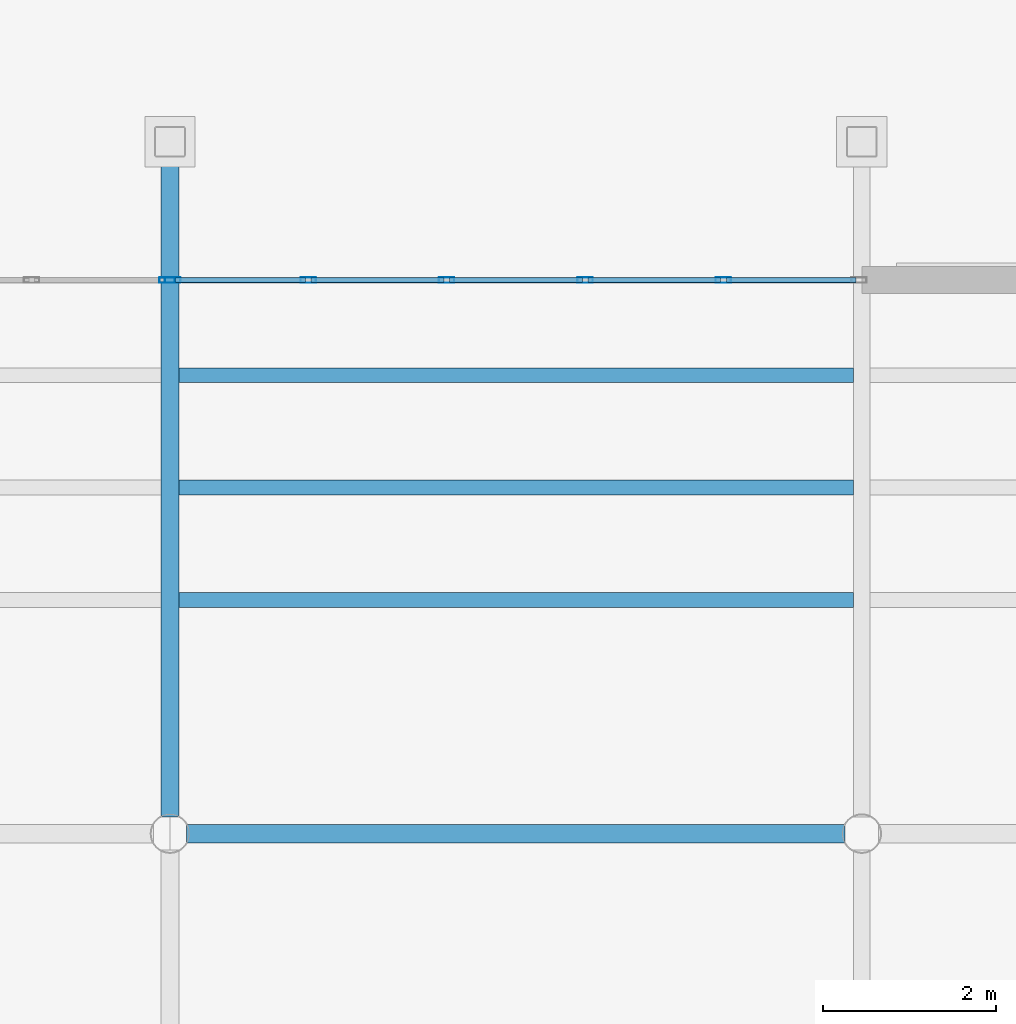
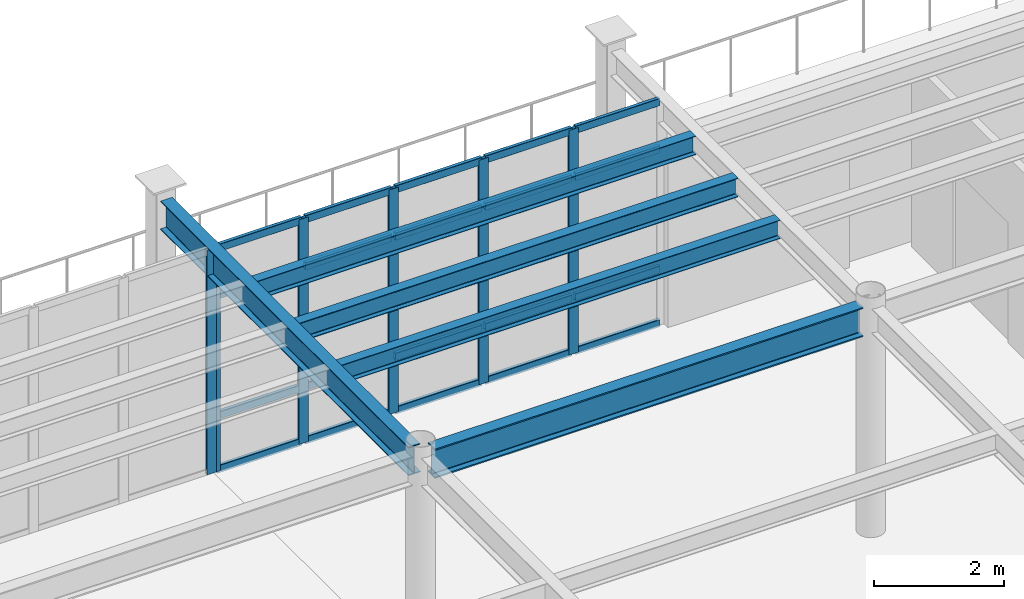
# One storey, part 28 of 111: 26 members, 5 beams, 2 elements without a shape of their own.
"""IFC4 building model written with IfcOpenShell, lengths in metres."""

from ifc_helpers import new_model, si_unit, direction, frame, origin, origin_2d, place, context, subcontext, project, spatial, hollow_rectangle, i_section, extrude, material, material_profile, profile_set, type_object, element, aggregate, save


model = new_model("IFC4")

# Units and contexts
model_context = context("Model", 3, precision=1e-05, world=origin(), true_north=direction((0.0, 1.0)))
body_context = subcontext(model_context, "Body", "Model", "MODEL_VIEW")
ifc_project = project(units=[si_unit("LENGTHUNIT", "METRE"), si_unit("AREAUNIT", "SQUARE_METRE"), si_unit("VOLUMEUNIT", "CUBIC_METRE"), si_unit("PLANEANGLEUNIT", "RADIAN"), si_unit("MASSUNIT", "GRAM", prefix="KILO")], contexts=[model_context])

# Site, building, storey
site_placement = place(None, origin())
site = spatial("IfcSite", under=ifc_project, at=site_placement, CompositionType="ELEMENT")
building_placement = place(site_placement, origin())
building = spatial("IfcBuilding", under=site, at=building_placement, Name="Solmirada Galleria", CompositionType="ELEMENT")
storey_placement = place(building_placement, frame((0.0, 0.0, 10.39990234375)))
storey = spatial("IfcBuildingStorey", under=building, at=storey_placement, Name="L02", CompositionType="ELEMENT", Elevation=10.39990234375)

# Beams
ifc_material_1 = material(Name="Steel S355 / ASTM A992 Grade 50", Category="steel")
ifc_material_profile_1 = material_profile(ifc_material_1, i_section(OverallWidth=0.214111328125, OverallDepth=0.549072265625, WebThickness=0.0146484375, FlangeThickness=0.023681640625, FilletRadius=0.014892578125, at=origin_2d()), Name="W21X93")
ifc_profile_set_1 = profile_set([ifc_material_profile_1], Name="Steel S355 / ASTM A992 Grade 50")
beam_type_1 = type_object("IfcBeamType", Name="BM-GIRD-W21A", PredefinedType="BEAM", material=ifc_profile_set_1)
beam_1_placement = place(storey_placement, frame((112.19189453125, 32.0, 4.025634765625), z_axis=(1.0, 0.0, 0.0), x_axis=(0.0, 1.0, 0.0)))
element("IfcBeam", 1, at=beam_1_placement, inside=storey, type_object=beam_type_1, Name="Primary beam L03 X(112..120, 32)", PredefinedType="BEAM", context=body_context, shape_type="SweptSolid", body=[
    extrude(i_section(OverallWidth=0.214111328125, OverallDepth=0.549072265625, WebThickness=0.0146484375, FlangeThickness=0.023681640625, FilletRadius=0.014892578125, at=origin_2d()), origin(), (0.0, 0.0, 1.0), 7.6162109375),
])
ifc_material_profile_2 = material_profile(ifc_material_1, i_section(OverallWidth=0.2099609375, OverallDepth=0.537109375, WebThickness=0.010986328125, FlangeThickness=0.017333984375, FilletRadius=0.014892578125, at=origin_2d()), Name="W21X68")
ifc_profile_set_2 = profile_set([ifc_material_profile_2], Name="Steel S355 / ASTM A992 Grade 50")
beam_type_2 = type_object("IfcBeamType", Name="BM-GIRD-W21B", PredefinedType="BEAM", material=ifc_profile_set_2)
beam_2_placement = place(storey_placement, frame((112.0, 32.19189453125, 3.99169921875), z_axis=(0.0, 1.0, 0.0), x_axis=(-1.0, 0.0, 0.0)))
element("IfcBeam", 2, at=beam_2_placement, inside=storey, type_object=beam_type_2, Name="Primary girder L03 Y(112, 32..40)", PredefinedType="BEAM", context=body_context, shape_type="SweptSolid", body=[
    extrude(i_section(OverallWidth=0.2099609375, OverallDepth=0.537109375, WebThickness=0.010986328125, FlangeThickness=0.017333984375, FilletRadius=0.014892578125, at=origin_2d()), origin(), (0.0, 0.0, 1.0), 7.630126953125),
])
ifc_material_profile_3 = material_profile(ifc_material_1, i_section(OverallWidth=0.172119140625, OverallDepth=0.35791015625, WebThickness=0.0078125, FlangeThickness=0.01318359375, FilletRadius=0.011962890625, at=origin_2d()), Name="W14X38")
ifc_profile_set_3 = profile_set([ifc_material_profile_3], Name="Steel S355 / ASTM A992 Grade 50")
beam_type_3 = type_object("IfcBeamType", Name="BM-JST-W14A", PredefinedType="JOIST", material=ifc_profile_set_3)
beam_3_placement = place(storey_placement, frame((112.10498046875, 36.0, 4.0810546875), z_axis=(1.0, 0.0, 0.0), x_axis=(0.0, 1.0, 0.0)))
element("IfcBeam", 3, at=beam_3_placement, inside=storey, type_object=beam_type_3, Name="Composite floor joist L03 (112..120, 36.0)", PredefinedType="JOIST", context=body_context, shape_type="SweptSolid", body=[
    extrude(i_section(OverallWidth=0.172119140625, OverallDepth=0.35791015625, WebThickness=0.0078125, FlangeThickness=0.01318359375, FilletRadius=0.011962890625, at=origin_2d()), origin(), (0.0, 0.0, 1.0), 7.798095703125),
])
ifc_material_profile_4 = material_profile(ifc_material_1, i_section(OverallWidth=0.1708984375, OverallDepth=0.35205078125, WebThickness=0.0068359375, FlangeThickness=0.009765625, FilletRadius=0.010986328125, at=origin_2d()), Name="W14X30")
ifc_profile_set_4 = profile_set([ifc_material_profile_4], Name="Steel S355 / ASTM A992 Grade 50")
beam_type_4 = type_object("IfcBeamType", Name="BM-JST-W14B", PredefinedType="JOIST", material=ifc_profile_set_4)
for number, where, z_axis, x_axis, name in (
    (4, (112.10498046875, 34.699951171875, 4.083984375), (1.0, 0.0, 0.0), (0.0, 1.0, 0.0), "Terrace deck joist L03-TERR-SE X=112..120 (1)"),
    (5, (112.10498046875, 37.300048828125, 4.083984375), (1.0, 0.0, 0.0), (0.0, 1.0, 0.0), "Terrace deck joist L03-TERR-SE X=112..120 (2)"),
):
    element("IfcBeam", number, at=place(storey_placement, frame(where, z_axis=z_axis, x_axis=x_axis)), inside=storey, type_object=beam_type_4, Name=name, PredefinedType="JOIST", context=body_context, shape_type="SweptSolid", body=[
        extrude(i_section(OverallWidth=0.1708984375, OverallDepth=0.35205078125, WebThickness=0.0068359375, FlangeThickness=0.009765625, FilletRadius=0.010986328125, at=origin_2d()), origin(), (0.0, 0.0, 1.0), 7.798095703125),
    ])

# Curtain wall, member
ifc_material_2 = material(Name="Impact-resistant low-E double glazing", Category="glass")
curtain_wall_type = type_object("IfcCurtainWallType", Name="CW-FZ5-L02-B5-L080", PredefinedType="NOTDEFINED", material=ifc_material_2)
curtain_wall_1_placement = place(storey_placement, origin())
curtain_wall_1 = element("IfcCurtainWall", 6, at=curtain_wall_1_placement, inside=storey, type_object=curtain_wall_type, Name="Terrace and arcade storefront CW-L02-112", PredefinedType="NOTDEFINED")
ifc_material_3 = material(Name="Anodised aluminium framing", Category="aluminium")
ifc_material_profile_5 = material_profile(ifc_material_3, hollow_rectangle(XDim=0.06494140625, YDim=0.179931640625, WallThickness=0.00390625, InnerFilletRadius=0.00390625, OuterFilletRadius=0.008056640625, at=origin_2d()), Name="ALU-MULL-180X65")
ifc_profile_set_5 = profile_set([ifc_material_profile_5], Name="Anodised aluminium framing")
member_type_1 = type_object("IfcMemberType", Name="CW-MULL-180", PredefinedType="MULLION", material=ifc_profile_set_5)
member_1_placement = place(storey_placement, frame((111.967529296875, 38.39990234375, 0.0), z_axis=(0.0, 0.0, 1.0), x_axis=(0.0, 1.0, 0.0)))
member_1 = element("IfcMember", 7, at=member_1_placement, type_object=member_type_1, Name="CW25 mullion 6", PredefinedType="MULLION", context=body_context, shape_type="SweptSolid", body=[
    extrude(hollow_rectangle(XDim=0.06494140625, YDim=0.179931640625, WallThickness=0.00390625, InnerFilletRadius=0.00390625, OuterFilletRadius=0.008056640625, at=origin_2d()), origin(), (0.0, 0.0, 1.0), 4.22021484375),
])
aggregate(curtain_wall_1, [member_1])

# Curtain wall, members
curtain_wall_2_placement = place(storey_placement, origin())
curtain_wall_2 = element("IfcCurtainWall", 8, at=curtain_wall_2_placement, inside=storey, type_object=curtain_wall_type, Name="Terrace and arcade storefront CW-L02-113", PredefinedType="NOTDEFINED")
member_2_placement = place(storey_placement, frame((112.032470703125, 38.39990234375, 0.0), z_axis=(0.0, 0.0, 1.0), x_axis=(0.0, 1.0, 0.0)))
member_2 = element("IfcMember", 9, at=member_2_placement, type_object=member_type_1, Name="CW25 mullion 1", PredefinedType="MULLION", context=body_context, shape_type="SweptSolid", body=[
    extrude(hollow_rectangle(XDim=0.06494140625, YDim=0.179931640625, WallThickness=0.00390625, InnerFilletRadius=0.00390625, OuterFilletRadius=0.008056640625, at=origin_2d()), origin(), (0.0, 0.0, 1.0), 4.22021484375),
])
member_3_placement = place(storey_placement, frame((113.60009765625, 38.39990234375, 0.0), z_axis=(0.0, 0.0, 1.0), x_axis=(0.0, 1.0, 0.0)))
member_3 = element("IfcMember", 10, at=member_3_placement, type_object=member_type_1, Name="CW25 mullion 2", PredefinedType="MULLION", context=body_context, shape_type="SweptSolid", body=[
    extrude(hollow_rectangle(XDim=0.06494140625, YDim=0.179931640625, WallThickness=0.00390625, InnerFilletRadius=0.00390625, OuterFilletRadius=0.008056640625, at=origin_2d()), origin(), (0.0, 0.0, 1.0), 4.22021484375),
])
member_4_placement = place(storey_placement, frame((115.199951171875, 38.39990234375, 0.0), z_axis=(0.0, 0.0, 1.0), x_axis=(0.0, 1.0, 0.0)))
member_4 = element("IfcMember", 11, at=member_4_placement, type_object=member_type_1, Name="CW25 mullion 3", PredefinedType="MULLION", context=body_context, shape_type="SweptSolid", body=[
    extrude(hollow_rectangle(XDim=0.06494140625, YDim=0.179931640625, WallThickness=0.00390625, InnerFilletRadius=0.00390625, OuterFilletRadius=0.008056640625, at=origin_2d()), origin(), (0.0, 0.0, 1.0), 4.22021484375),
])
member_5_placement = place(storey_placement, frame((116.800048828125, 38.39990234375, 0.0), z_axis=(0.0, 0.0, 1.0), x_axis=(0.0, 1.0, 0.0)))
member_5 = element("IfcMember", 12, at=member_5_placement, type_object=member_type_1, Name="CW25 mullion 4", PredefinedType="MULLION", context=body_context, shape_type="SweptSolid", body=[
    extrude(hollow_rectangle(XDim=0.06494140625, YDim=0.179931640625, WallThickness=0.00390625, InnerFilletRadius=0.00390625, OuterFilletRadius=0.008056640625, at=origin_2d()), origin(), (0.0, 0.0, 1.0), 4.22021484375),
])
member_6_placement = place(storey_placement, frame((118.39990234375, 38.39990234375, 0.0), z_axis=(0.0, 0.0, 1.0), x_axis=(0.0, 1.0, 0.0)))
member_6 = element("IfcMember", 13, at=member_6_placement, type_object=member_type_1, Name="CW25 mullion 5", PredefinedType="MULLION", context=body_context, shape_type="SweptSolid", body=[
    extrude(hollow_rectangle(XDim=0.06494140625, YDim=0.179931640625, WallThickness=0.00390625, InnerFilletRadius=0.00390625, OuterFilletRadius=0.008056640625, at=origin_2d()), origin(), (0.0, 0.0, 1.0), 4.22021484375),
])
ifc_material_profile_6 = material_profile(ifc_material_3, hollow_rectangle(XDim=0.06494140625, YDim=0.139892578125, WallThickness=0.00341796875, InnerFilletRadius=0.00341796875, OuterFilletRadius=0.007080078125, at=origin_2d()), Name="ALU-TRAN-140X65")
ifc_profile_set_6 = profile_set([ifc_material_profile_6], Name="Anodised aluminium framing")
member_type_2 = type_object("IfcMemberType", Name="CW-TRAN-140", PredefinedType="USERDEFINED", material=ifc_profile_set_6)
member_7_placement = place(storey_placement, frame((112.06494140625, 38.39990234375, 0.03271484375), z_axis=(1.0, 0.0, 0.0), x_axis=(0.0, 1.0, 0.0)))
member_7 = element("IfcMember", 14, at=member_7_placement, type_object=member_type_2, Name="CW25 transom 1.1", ObjectType="TRANSOM", PredefinedType="USERDEFINED", context=body_context, shape_type="SweptSolid", body=[
    extrude(hollow_rectangle(XDim=0.06494140625, YDim=0.139892578125, WallThickness=0.00341796875, InnerFilletRadius=0.00341796875, OuterFilletRadius=0.007080078125, at=origin_2d()), origin(), (0.0, 0.0, 1.0), 1.50244140625),
])
member_8_placement = place(storey_placement, frame((112.06494140625, 38.39990234375, 1.0400390625), z_axis=(1.0, 0.0, 0.0), x_axis=(0.0, 1.0, 0.0)))
member_8 = element("IfcMember", 15, at=member_8_placement, type_object=member_type_2, Name="CW25 transom 1.2", ObjectType="TRANSOM", PredefinedType="USERDEFINED", context=body_context, shape_type="SweptSolid", body=[
    extrude(hollow_rectangle(XDim=0.06494140625, YDim=0.139892578125, WallThickness=0.00341796875, InnerFilletRadius=0.00341796875, OuterFilletRadius=0.007080078125, at=origin_2d()), origin(), (0.0, 0.0, 1.0), 1.50244140625),
])
member_9_placement = place(storey_placement, frame((112.06494140625, 38.39990234375, 3.300048828125), z_axis=(1.0, 0.0, 0.0), x_axis=(0.0, 1.0, 0.0)))
member_9 = element("IfcMember", 16, at=member_9_placement, type_object=member_type_2, Name="CW25 transom 1.3", ObjectType="TRANSOM", PredefinedType="USERDEFINED", context=body_context, shape_type="SweptSolid", body=[
    extrude(hollow_rectangle(XDim=0.06494140625, YDim=0.139892578125, WallThickness=0.00341796875, InnerFilletRadius=0.00341796875, OuterFilletRadius=0.007080078125, at=origin_2d()), origin(), (0.0, 0.0, 1.0), 1.50244140625),
])
member_10_placement = place(storey_placement, frame((112.06494140625, 38.39990234375, 4.1875), z_axis=(1.0, 0.0, 0.0), x_axis=(0.0, 1.0, 0.0)))
member_10 = element("IfcMember", 17, at=member_10_placement, type_object=member_type_2, Name="CW25 transom 1.4", ObjectType="TRANSOM", PredefinedType="USERDEFINED", context=body_context, shape_type="SweptSolid", body=[
    extrude(hollow_rectangle(XDim=0.06494140625, YDim=0.139892578125, WallThickness=0.00341796875, InnerFilletRadius=0.00341796875, OuterFilletRadius=0.007080078125, at=origin_2d()), origin(), (0.0, 0.0, 1.0), 1.50244140625),
])
member_11_placement = place(storey_placement, frame((113.632568359375, 38.39990234375, 0.03271484375), z_axis=(1.0, 0.0, 0.0), x_axis=(0.0, 1.0, 0.0)))
member_11 = element("IfcMember", 18, at=member_11_placement, type_object=member_type_2, Name="CW25 transom 2.1", ObjectType="TRANSOM", PredefinedType="USERDEFINED", context=body_context, shape_type="SweptSolid", body=[
    extrude(hollow_rectangle(XDim=0.06494140625, YDim=0.139892578125, WallThickness=0.00341796875, InnerFilletRadius=0.00341796875, OuterFilletRadius=0.007080078125, at=origin_2d()), origin(), (0.0, 0.0, 1.0), 1.534912109375),
])
member_12_placement = place(storey_placement, frame((113.632568359375, 38.39990234375, 1.0400390625), z_axis=(1.0, 0.0, 0.0), x_axis=(0.0, 1.0, 0.0)))
member_12 = element("IfcMember", 19, at=member_12_placement, type_object=member_type_2, Name="CW25 transom 2.2", ObjectType="TRANSOM", PredefinedType="USERDEFINED", context=body_context, shape_type="SweptSolid", body=[
    extrude(hollow_rectangle(XDim=0.06494140625, YDim=0.139892578125, WallThickness=0.00341796875, InnerFilletRadius=0.00341796875, OuterFilletRadius=0.007080078125, at=origin_2d()), origin(), (0.0, 0.0, 1.0), 1.534912109375),
])
member_13_placement = place(storey_placement, frame((113.632568359375, 38.39990234375, 3.300048828125), z_axis=(1.0, 0.0, 0.0), x_axis=(0.0, 1.0, 0.0)))
member_13 = element("IfcMember", 20, at=member_13_placement, type_object=member_type_2, Name="CW25 transom 2.3", ObjectType="TRANSOM", PredefinedType="USERDEFINED", context=body_context, shape_type="SweptSolid", body=[
    extrude(hollow_rectangle(XDim=0.06494140625, YDim=0.139892578125, WallThickness=0.00341796875, InnerFilletRadius=0.00341796875, OuterFilletRadius=0.007080078125, at=origin_2d()), origin(), (0.0, 0.0, 1.0), 1.534912109375),
])
member_14_placement = place(storey_placement, frame((113.632568359375, 38.39990234375, 4.1875), z_axis=(1.0, 0.0, 0.0), x_axis=(0.0, 1.0, 0.0)))
member_14 = element("IfcMember", 21, at=member_14_placement, type_object=member_type_2, Name="CW25 transom 2.4", ObjectType="TRANSOM", PredefinedType="USERDEFINED", context=body_context, shape_type="SweptSolid", body=[
    extrude(hollow_rectangle(XDim=0.06494140625, YDim=0.139892578125, WallThickness=0.00341796875, InnerFilletRadius=0.00341796875, OuterFilletRadius=0.007080078125, at=origin_2d()), origin(), (0.0, 0.0, 1.0), 1.534912109375),
])
member_15_placement = place(storey_placement, frame((115.232421875, 38.39990234375, 0.03271484375), z_axis=(1.0, 0.0, 0.0), x_axis=(0.0, 1.0, 0.0)))
member_15 = element("IfcMember", 22, at=member_15_placement, type_object=member_type_2, Name="CW25 transom 3.1", ObjectType="TRANSOM", PredefinedType="USERDEFINED", context=body_context, shape_type="SweptSolid", body=[
    extrude(hollow_rectangle(XDim=0.06494140625, YDim=0.139892578125, WallThickness=0.00341796875, InnerFilletRadius=0.00341796875, OuterFilletRadius=0.007080078125, at=origin_2d()), origin(), (0.0, 0.0, 1.0), 1.53515625),
])
member_16_placement = place(storey_placement, frame((115.232421875, 38.39990234375, 1.0400390625), z_axis=(1.0, 0.0, 0.0), x_axis=(0.0, 1.0, 0.0)))
member_16 = element("IfcMember", 23, at=member_16_placement, type_object=member_type_2, Name="CW25 transom 3.2", ObjectType="TRANSOM", PredefinedType="USERDEFINED", context=body_context, shape_type="SweptSolid", body=[
    extrude(hollow_rectangle(XDim=0.06494140625, YDim=0.139892578125, WallThickness=0.00341796875, InnerFilletRadius=0.00341796875, OuterFilletRadius=0.007080078125, at=origin_2d()), origin(), (0.0, 0.0, 1.0), 1.53515625),
])
member_17_placement = place(storey_placement, frame((115.232421875, 38.39990234375, 3.300048828125), z_axis=(1.0, 0.0, 0.0), x_axis=(0.0, 1.0, 0.0)))
member_17 = element("IfcMember", 24, at=member_17_placement, type_object=member_type_2, Name="CW25 transom 3.3", ObjectType="TRANSOM", PredefinedType="USERDEFINED", context=body_context, shape_type="SweptSolid", body=[
    extrude(hollow_rectangle(XDim=0.06494140625, YDim=0.139892578125, WallThickness=0.00341796875, InnerFilletRadius=0.00341796875, OuterFilletRadius=0.007080078125, at=origin_2d()), origin(), (0.0, 0.0, 1.0), 1.53515625),
])
member_18_placement = place(storey_placement, frame((115.232421875, 38.39990234375, 4.1875), z_axis=(1.0, 0.0, 0.0), x_axis=(0.0, 1.0, 0.0)))
member_18 = element("IfcMember", 25, at=member_18_placement, type_object=member_type_2, Name="CW25 transom 3.4", ObjectType="TRANSOM", PredefinedType="USERDEFINED", context=body_context, shape_type="SweptSolid", body=[
    extrude(hollow_rectangle(XDim=0.06494140625, YDim=0.139892578125, WallThickness=0.00341796875, InnerFilletRadius=0.00341796875, OuterFilletRadius=0.007080078125, at=origin_2d()), origin(), (0.0, 0.0, 1.0), 1.53515625),
])
member_19_placement = place(storey_placement, frame((116.83251953125, 38.39990234375, 0.03271484375), z_axis=(1.0, 0.0, 0.0), x_axis=(0.0, 1.0, 0.0)))
member_19 = element("IfcMember", 26, at=member_19_placement, type_object=member_type_2, Name="CW25 transom 4.1", ObjectType="TRANSOM", PredefinedType="USERDEFINED", context=body_context, shape_type="SweptSolid", body=[
    extrude(hollow_rectangle(XDim=0.06494140625, YDim=0.139892578125, WallThickness=0.00341796875, InnerFilletRadius=0.00341796875, OuterFilletRadius=0.007080078125, at=origin_2d()), origin(), (0.0, 0.0, 1.0), 1.534912109375),
])
member_20_placement = place(storey_placement, frame((116.83251953125, 38.39990234375, 1.0400390625), z_axis=(1.0, 0.0, 0.0), x_axis=(0.0, 1.0, 0.0)))
member_20 = element("IfcMember", 27, at=member_20_placement, type_object=member_type_2, Name="CW25 transom 4.2", ObjectType="TRANSOM", PredefinedType="USERDEFINED", context=body_context, shape_type="SweptSolid", body=[
    extrude(hollow_rectangle(XDim=0.06494140625, YDim=0.139892578125, WallThickness=0.00341796875, InnerFilletRadius=0.00341796875, OuterFilletRadius=0.007080078125, at=origin_2d()), origin(), (0.0, 0.0, 1.0), 1.534912109375),
])
member_21_placement = place(storey_placement, frame((116.83251953125, 38.39990234375, 3.300048828125), z_axis=(1.0, 0.0, 0.0), x_axis=(0.0, 1.0, 0.0)))
member_21 = element("IfcMember", 28, at=member_21_placement, type_object=member_type_2, Name="CW25 transom 4.3", ObjectType="TRANSOM", PredefinedType="USERDEFINED", context=body_context, shape_type="SweptSolid", body=[
    extrude(hollow_rectangle(XDim=0.06494140625, YDim=0.139892578125, WallThickness=0.00341796875, InnerFilletRadius=0.00341796875, OuterFilletRadius=0.007080078125, at=origin_2d()), origin(), (0.0, 0.0, 1.0), 1.534912109375),
])
member_22_placement = place(storey_placement, frame((116.83251953125, 38.39990234375, 4.1875), z_axis=(1.0, 0.0, 0.0), x_axis=(0.0, 1.0, 0.0)))
member_22 = element("IfcMember", 29, at=member_22_placement, type_object=member_type_2, Name="CW25 transom 4.4", ObjectType="TRANSOM", PredefinedType="USERDEFINED", context=body_context, shape_type="SweptSolid", body=[
    extrude(hollow_rectangle(XDim=0.06494140625, YDim=0.139892578125, WallThickness=0.00341796875, InnerFilletRadius=0.00341796875, OuterFilletRadius=0.007080078125, at=origin_2d()), origin(), (0.0, 0.0, 1.0), 1.534912109375),
])
member_23_placement = place(storey_placement, frame((118.4326171875, 38.39990234375, 0.03271484375), z_axis=(1.0, 0.0, 0.0), x_axis=(0.0, 1.0, 0.0)))
member_23 = element("IfcMember", 30, at=member_23_placement, type_object=member_type_2, Name="CW25 transom 5.1", ObjectType="TRANSOM", PredefinedType="USERDEFINED", context=body_context, shape_type="SweptSolid", body=[
    extrude(hollow_rectangle(XDim=0.06494140625, YDim=0.139892578125, WallThickness=0.00341796875, InnerFilletRadius=0.00341796875, OuterFilletRadius=0.007080078125, at=origin_2d()), origin(), (0.0, 0.0, 1.0), 1.50244140625),
])
member_24_placement = place(storey_placement, frame((118.4326171875, 38.39990234375, 1.0400390625), z_axis=(1.0, 0.0, 0.0), x_axis=(0.0, 1.0, 0.0)))
member_24 = element("IfcMember", 31, at=member_24_placement, type_object=member_type_2, Name="CW25 transom 5.2", ObjectType="TRANSOM", PredefinedType="USERDEFINED", context=body_context, shape_type="SweptSolid", body=[
    extrude(hollow_rectangle(XDim=0.06494140625, YDim=0.139892578125, WallThickness=0.00341796875, InnerFilletRadius=0.00341796875, OuterFilletRadius=0.007080078125, at=origin_2d()), origin(), (0.0, 0.0, 1.0), 1.50244140625),
])
member_25_placement = place(storey_placement, frame((118.4326171875, 38.39990234375, 3.300048828125), z_axis=(1.0, 0.0, 0.0), x_axis=(0.0, 1.0, 0.0)))
member_25 = element("IfcMember", 32, at=member_25_placement, type_object=member_type_2, Name="CW25 transom 5.3", ObjectType="TRANSOM", PredefinedType="USERDEFINED", context=body_context, shape_type="SweptSolid", body=[
    extrude(hollow_rectangle(XDim=0.06494140625, YDim=0.139892578125, WallThickness=0.00341796875, InnerFilletRadius=0.00341796875, OuterFilletRadius=0.007080078125, at=origin_2d()), origin(), (0.0, 0.0, 1.0), 1.50244140625),
])
member_26_placement = place(storey_placement, frame((118.4326171875, 38.39990234375, 4.1875), z_axis=(1.0, 0.0, 0.0), x_axis=(0.0, 1.0, 0.0)))
member_26 = element("IfcMember", 33, at=member_26_placement, type_object=member_type_2, Name="CW25 transom 5.4", ObjectType="TRANSOM", PredefinedType="USERDEFINED", context=body_context, shape_type="SweptSolid", body=[
    extrude(hollow_rectangle(XDim=0.06494140625, YDim=0.139892578125, WallThickness=0.00341796875, InnerFilletRadius=0.00341796875, OuterFilletRadius=0.007080078125, at=origin_2d()), origin(), (0.0, 0.0, 1.0), 1.50244140625),
])
aggregate(curtain_wall_2, [member_2, member_3, member_4, member_5, member_6, member_7, member_8, member_9, member_10, member_11, member_12, member_13, member_14, member_15, member_16, member_17, member_18, member_19, member_20, member_21, member_22, member_23, member_24, member_25, member_26])

save(model, "model.ifc")
